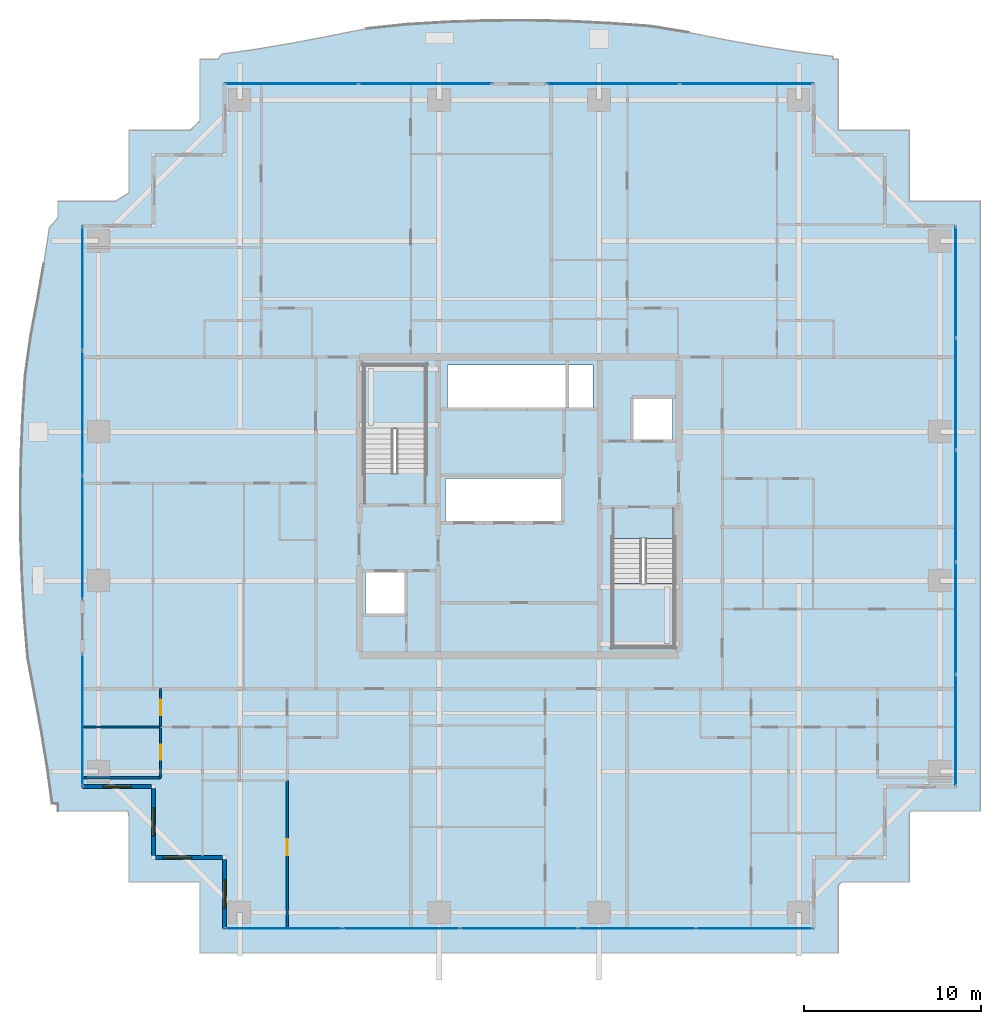
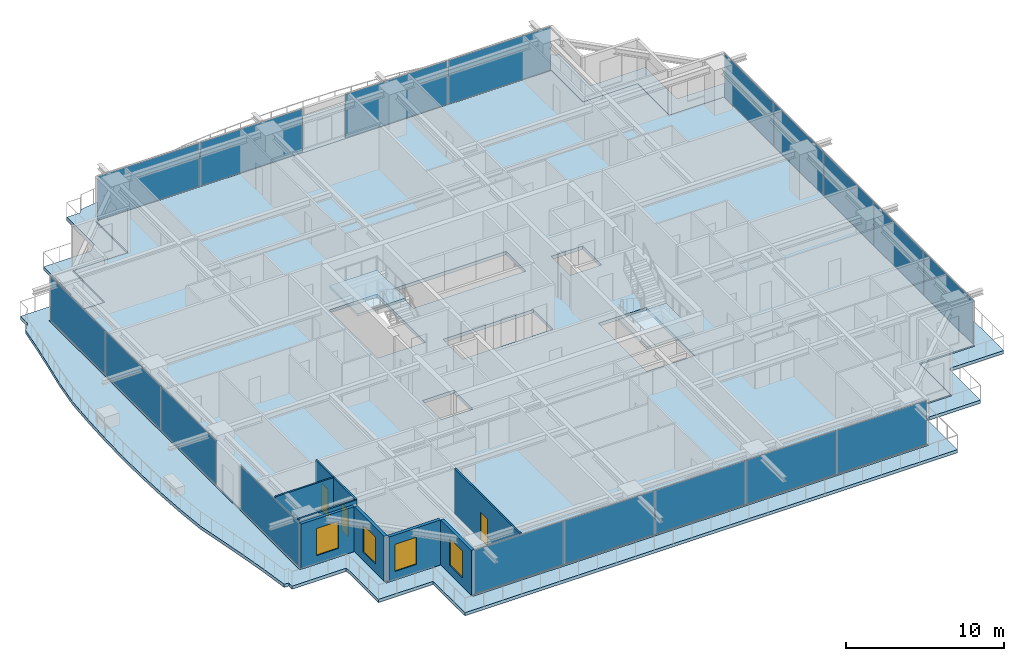
# One storey, part 26 of 38: 18 plates, 9 walls, 4 slabs, 4 windows, 3 doors, 7 openings, 8 elements without a shape of their own.
"""IFC4 building model written with IfcOpenShell, lengths in metres."""

import ifcopenshell
import ifcopenshell.guid

model = None  # the IFC model being written
_history = None  # IfcOwnerHistory: only IFC2X3 demands one
_inside = {}  # id of a spatial element -> (the spatial element, [elements in it])
_under = {}  # id of a project, library or spatial element -> (it, [spatial elements below it])
_declared = {}  # id of a project -> (the project, [libraries it declares])
_typed = {}  # id of a type object -> (the type object, [elements of that type])
_made_of = {}  # id of a material, layer set ... -> (it, [elements and type objects made of it])


def new_model(schema):
    """Start an empty IFC model of exactly this schema.

    Asked for "IFC4X3", IfcOpenShell would pick the latest addendum, in which some entities
    have other attributes; the version numbers below select the first issue.
    IFC2X3 requires an IfcOwnerHistory on every rooted entity: one is made here for all.
    """
    global model, _history
    if schema == "IFC4X3":
        model = ifcopenshell.file(schema_version=(4, 3, 0, 0))
    else:
        model = ifcopenshell.file(schema=schema)
    _inside.clear()
    _under.clear()
    _declared.clear()
    _typed.clear()
    _made_of.clear()
    _history = None
    if model.schema == "IFC2X3":
        org = make("IfcOrganization", Name="unknown")
        user = make(
            "IfcPersonAndOrganization",
            ThePerson=make("IfcPerson", FamilyName="unknown"),
            TheOrganization=org,
        )
        app = make(
            "IfcApplication",
            ApplicationDeveloper=org,
            Version="unknown",
            ApplicationFullName="unknown",
            ApplicationIdentifier="unknown",
        )
        _history = make(
            "IfcOwnerHistory",
            OwningUser=user,
            OwningApplication=app,
            ChangeAction="ADDED",
            CreationDate=0,
        )
    return model


def make(cls, **values):
    """One entity of the class cls with the attributes given. An attribute that is None is left unset."""
    return model.create_entity(
        cls, **{name: value for name, value in values.items() if value is not None}
    )


def rooted(cls, **values):
    """An entity with a GlobalId (a new one), such as an element, a storey or a relation."""
    return make(cls, GlobalId=ifcopenshell.guid.new(), OwnerHistory=_history, **values)


def si_unit(unit_type, name, prefix=None):
    """IfcSIUnit, for example si_unit("LENGTHUNIT", "METRE", prefix="MILLI")."""
    return make("IfcSIUnit", UnitType=unit_type, Prefix=prefix, Name=name)


def assignment(units):
    """IfcUnitAssignment: the units of a project."""
    return None if units is None else make("IfcUnitAssignment", Units=units)


def point(xyz):
    """IfcCartesianPoint."""
    return None if xyz is None else make("IfcCartesianPoint", Coordinates=xyz)


def direction(xyz):
    """IfcDirection."""
    return None if xyz is None else make("IfcDirection", DirectionRatios=xyz)


def frame(location, z_axis=None, x_axis=None):
    """IfcAxis2Placement3D, a coordinate frame: its origin and axes. An axis left out is left unset."""
    return make(
        "IfcAxis2Placement3D",
        Location=point(location),
        Axis=direction(z_axis),
        RefDirection=direction(x_axis),
    )


def frame_2d(location, x_axis=None):
    """IfcAxis2Placement2D, a coordinate frame in the plane: its origin and x axis."""
    return make(
        "IfcAxis2Placement2D", Location=point(location), RefDirection=direction(x_axis)
    )


def origin():
    """The frame at (0, 0, 0) with its axes left unset."""
    return frame((0.0, 0.0, 0.0))


def origin_2d():
    """The frame at (0, 0) in the plane with its x axis left unset."""
    return frame_2d((0.0, 0.0))


def place(relative_to, where):
    """IfcLocalPlacement: puts the frame where relative to a parent placement (None: the world)."""
    return make(
        "IfcLocalPlacement", PlacementRelTo=relative_to, RelativePlacement=where
    )


def context(
    kind, dimensions, precision=None, world=None, true_north=None, identifier=None
):
    """IfcGeometricRepresentationContext, for example the 3D "Model" context."""
    return make(
        "IfcGeometricRepresentationContext",
        ContextIdentifier=identifier,
        ContextType=kind,
        CoordinateSpaceDimension=dimensions,
        Precision=precision,
        WorldCoordinateSystem=world,
        TrueNorth=true_north,
    )


def subcontext(parent, identifier, kind, view, scale=None):
    """IfcGeometricRepresentationSubContext, for example "Body" below "Model"."""
    return make(
        "IfcGeometricRepresentationSubContext",
        ContextIdentifier=identifier,
        ContextType=kind,
        ParentContext=parent,
        TargetScale=scale,
        TargetView=view,
    )


def project(units=None, contexts=None):
    """IfcProject with its units and contexts."""
    return rooted(
        "IfcProject",
        Name="project",
        RepresentationContexts=contexts,
        UnitsInContext=assignment(units),
    )


def spatial(cls, under=None, at=None, **own):
    """A site, building, storey or space (cls), placed at a placement, below another one or the project."""
    s = rooted(cls, ObjectPlacement=at, **own)
    if under is not None:
        _under.setdefault(under.id(), (under, []))[1].append(s)
    return s


def polyline(points):
    """IfcPolyline through the points."""
    return make("IfcPolyline", Points=[point(p) for p in points])


def profile(cls, at=None, kind="AREA", **sizes):
    """A parametric profile (cls). Its sizes go by their IFC names, for example OverallWidth=200.0."""
    return make(cls, ProfileType=kind, Position=at, **sizes)


def rectangle(**sizes):
    """IfcRectangleProfileDef."""
    return profile("IfcRectangleProfileDef", **sizes)


def outline(outer, holes=None, kind="AREA"):
    """IfcArbitraryClosedProfileDef: a profile drawn as a closed curve; with holes, ...WithVoids."""
    if holes is None:
        return make("IfcArbitraryClosedProfileDef", ProfileType=kind, OuterCurve=outer)
    return make(
        "IfcArbitraryProfileDefWithVoids",
        ProfileType=kind,
        OuterCurve=outer,
        InnerCurves=holes,
    )


def extrude(swept, where, along, depth):
    """IfcExtrudedAreaSolid: the profile swept, set in the frame where, extruded along a direction by depth."""
    return make(
        "IfcExtrudedAreaSolid",
        SweptArea=swept,
        Position=where,
        ExtrudedDirection=direction(along),
        Depth=depth,
    )


def shape(context_of_items, identifier, shape_type, items):
    """IfcShapeRepresentation: the items that make up one representation, for example the "Body"."""
    return make(
        "IfcShapeRepresentation",
        ContextOfItems=context_of_items,
        RepresentationIdentifier=identifier,
        RepresentationType=shape_type,
        Items=items,
    )


def source(mapping_origin, context_of_items, identifier, shape_type, items):
    """IfcRepresentationMap: a shape defined once, which mapped items show again and again."""
    return make(
        "IfcRepresentationMap",
        MappingOrigin=mapping_origin,
        MappedRepresentation=shape(context_of_items, identifier, shape_type, items),
    )


def transform(
    local_origin,
    x_axis=None,
    y_axis=None,
    z_axis=None,
    scale=None,
    scale2=None,
    scale3=None,
    uniform=True,
):
    """IfcCartesianTransformationOperator3D, or its non-uniform kind. x_axis, y_axis, z_axis: its Axis1, 2, 3."""
    if uniform:
        return make(
            "IfcCartesianTransformationOperator3D",
            Axis1=direction(x_axis),
            Axis2=direction(y_axis),
            LocalOrigin=point(local_origin),
            Scale=scale,
            Axis3=direction(z_axis),
        )
    return make(
        "IfcCartesianTransformationOperator3DnonUniform",
        Axis1=direction(x_axis),
        Axis2=direction(y_axis),
        LocalOrigin=point(local_origin),
        Scale=scale,
        Axis3=direction(z_axis),
        Scale2=scale2,
        Scale3=scale3,
    )


def mapped(mapping_source, mapping_target):
    """IfcMappedItem: shows the shape of a source again, moved by a transform."""
    return make(
        "IfcMappedItem", MappingSource=mapping_source, MappingTarget=mapping_target
    )


def material(Name=None, Category=None):
    """IfcMaterial."""
    return make("IfcMaterial", Name=Name, Category=Category)


def layer(
    of_material, thickness, ventilated=None, Name=None, Category=None, Priority=None
):
    """IfcMaterialLayer: one layer of a wall or slab, of a material (None: an air gap)."""
    return make(
        "IfcMaterialLayer",
        Material=of_material,
        LayerThickness=thickness,
        IsVentilated=ventilated,
        Name=Name,
        Category=Category,
        Priority=Priority,
    )


def layer_set(layers, Name=None):
    """IfcMaterialLayerSet."""
    return make("IfcMaterialLayerSet", MaterialLayers=layers, LayerSetName=Name)


def made_of(thing, what):
    """Note that an element or type object is made of a material, layer set ...; save() writes the relation."""
    if what is not None:
        _made_of.setdefault(what.id(), (what, []))[1].append(thing)
    return thing


def type_object(cls, material=None, **own):
    """A type object (cls), such as IfcWallType, which elements share."""
    return made_of(rooted(cls, **own), material)


def element(
    cls,
    number,
    at=None,
    inside=None,
    cuts=None,
    type_object=None,
    material=None,
    context=None,
    identifier="Body",
    shape_type=None,
    held_by="IfcProductDefinitionShape",
    body=None,
    shapes=None,
    **own,
):
    """One element of the class cls, such as IfcWall. Its Tag is "e" and its number.

    at: its placement. inside: the storey or other place that contains it. cuts: it is an
    opening in that element (IfcRelVoidsElement). A single representation is given by context,
    identifier, shape_type and body (its items); several are given by shapes. held_by: the class
    of the entity that holds the representations. save() writes the other relations.
    """
    e = rooted(cls, Tag="e%d" % number, ObjectPlacement=at, **own)
    if body is not None:
        shapes = [shape(context, identifier, shape_type, body)]
    if shapes is not None:
        e.Representation = make(held_by, Representations=shapes)
    if inside is not None:
        _inside.setdefault(inside.id(), (inside, []))[1].append(e)
    if cuts is not None:
        rooted(
            "IfcRelVoidsElement", RelatingBuildingElement=cuts, RelatedOpeningElement=e
        )
    if type_object is not None:
        _typed.setdefault(type_object.id(), (type_object, []))[1].append(e)
    return made_of(e, material)


def fill(opening, filler):
    """IfcRelFillsElement: the door or window that sits in an opening."""
    return rooted(
        "IfcRelFillsElement",
        RelatingOpeningElement=opening,
        RelatedBuildingElement=filler,
    )


def aggregate(whole, parts):
    """IfcRelAggregates: a whole, such as a stair, and the parts it consists of."""
    return rooted("IfcRelAggregates", RelatingObject=whole, RelatedObjects=parts)


def save(model, path):
    """Write the relations noted so far, then the file.

    IfcRelAggregates (storeys below a building ...), IfcRelContainedInSpatialStructure (elements
    in a storey), IfcRelDefinesByType, IfcRelAssociatesMaterial and IfcRelDeclares: one each for
    every whole, place, type object, material and project.
    """
    for whole, parts in _under.values():
        aggregate(whole, parts)
    for where, things in _inside.values():
        rooted(
            "IfcRelContainedInSpatialStructure",
            RelatedElements=things,
            RelatingStructure=where,
        )
    for kind, things in _typed.values():
        rooted("IfcRelDefinesByType", RelatedObjects=things, RelatingType=kind)
    for what, things in _made_of.values():
        rooted("IfcRelAssociatesMaterial", RelatedObjects=things, RelatingMaterial=what)
    for by, libraries in _declared.values():
        rooted("IfcRelDeclares", RelatingContext=by, RelatedDefinitions=libraries)
    model.write(path)


model = new_model("IFC4")

# Units and contexts
model_context = context("Model", 3, precision=1e-05, world=origin(), true_north=direction((0.0, 1.0)))
body_context = subcontext(model_context, "Body", "Model", "MODEL_VIEW")
ifc_project = project(units=[si_unit("LENGTHUNIT", "METRE"), si_unit("AREAUNIT", "SQUARE_METRE"), si_unit("VOLUMEUNIT", "CUBIC_METRE"), si_unit("PLANEANGLEUNIT", "RADIAN"), si_unit("MASSUNIT", "GRAM", prefix="KILO")], contexts=[model_context])

# Site, building, storey
site_placement = place(None, origin())
site = spatial("IfcSite", under=ifc_project, at=site_placement, CompositionType="ELEMENT")
building_placement = place(site_placement, origin())
building = spatial("IfcBuilding", under=site, at=building_placement, Name="Serunith Strait Residences", CompositionType="ELEMENT")
storey_placement = place(building_placement, frame((0.0, 0.0, 183.89990234375)))
storey = spatial("IfcBuildingStorey", under=building, at=storey_placement, Name="L46", CompositionType="ELEMENT", Elevation=183.89990234375)

# Slab
ifc_material_1 = material(Name="Concrete C50/60", Category="concrete")
ifc_layer_1 = layer(ifc_material_1, 0.239990234375, Name="Concrete C50/60")
ifc_layer_set_1 = layer_set([ifc_layer_1], Name="Concrete C50/60")
slab_type_1 = type_object("IfcSlabType", Name="SLB-BALC-240", PredefinedType="FLOOR", material=ifc_layer_set_1)
slab_1_placement = place(storey_placement, frame((0.0, 0.0, -0.289794921875)))
element("IfcSlab", 1, at=slab_1_placement, inside=storey, type_object=slab_type_1, Name="L46 Planted Vertical-Forest Balcony Slab", PredefinedType="FLOOR", context=body_context, shape_type="SweptSolid", body=[
    extrude(outline(polyline([(6.419921875, 8.02001953125), (6.419921875, 8.428955078125), (6.095458984375, 8.44775390625), (5.81884765625, 10.45068359375), (5.48828125, 12.473388671875), (5.11328125, 14.532958984375), (4.716796875, 16.6474609375), (4.5234375, 18.873046875), (4.396728515625, 21.139892578125), (4.319580078125, 23.4306640625), (4.29931640625, 25.733154296875), (4.337890625, 28.03271484375), (4.431884765625, 30.316162109375), (4.572021484375, 32.57177734375), (4.874755859375, 34.748046875), (5.265625, 36.8369140625), (5.6240234375, 38.878173828125), (5.9326171875, 40.890380859375), (6.419921875, 41.4619140625), (6.419921875, 42.3798828125), (9.64501953125, 42.3798828125), (10.419921875, 42.843505859375), (10.419921875, 46.3798828125), (13.869140625, 46.3798828125), (14.419921875, 46.910888671875), (14.419921875, 50.3798828125), (15.426513671875, 50.3798828125), (15.6337890625, 50.67041015625), (17.630859375, 50.951416015625), (19.646240234375, 51.292236328125), (21.698486328125, 51.684814453125), (23.808349609375, 52.10546875), (26.032958984375, 52.341064453125), (28.3125, 52.47607421875), (30.618408203125, 52.554443359375), (32.9365234375, 52.56787109375), (35.25, 52.514892578125), (37.543212890625, 52.401611328125), (39.803466796875, 52.23876953125), (41.96728515625, 51.883544921875), (44.0458984375, 51.472412109375), (46.07763671875, 51.10400390625), (48.082275390625, 50.79345703125), (50.075927734375, 50.54248046875), (50.074462890625, 50.3798828125), (50.3798828125, 50.3798828125), (50.3798828125, 46.3798828125), (54.3798828125, 46.3798828125), (54.3798828125, 42.3798828125), (58.3798828125, 42.3798828125), (58.3798828125, 8.02001953125), (54.51513671875, 8.02001953125), (54.3798828125, 7.921875), (54.3798828125, 4.02001953125), (50.601806640625, 4.02001953125), (50.3798828125, 3.8408203125), (50.3798828125, 0.02001953125), (14.419921875, 0.02001953125), (14.419921875, 4.02001953125), (10.419921875, 4.02001953125), (10.419921875, 7.667724609375), (10.3681640625, 8.02001953125), (6.419921875, 8.02001953125)]), holes=[polyline([(49.054931640625, 1.344970703125), (49.054931640625, 5.344970703125), (53.054931640625, 5.344970703125), (53.054931640625, 9.344970703125), (57.054931640625, 9.344970703125), (57.054931640625, 41.054931640625), (53.054931640625, 41.054931640625), (53.054931640625, 45.054931640625), (49.054931640625, 45.054931640625), (49.054931640625, 49.054931640625), (15.7451171875, 49.054931640625), (15.7451171875, 45.054931640625), (11.7451171875, 45.054931640625), (11.7451171875, 41.054931640625), (7.7451171875, 41.054931640625), (7.7451171875, 9.344970703125), (11.7451171875, 9.344970703125), (11.7451171875, 5.344970703125), (15.7451171875, 5.344970703125), (15.7451171875, 1.344970703125), (49.054931640625, 1.344970703125)])]), origin(), (0.0, 0.0, 1.0), 0.239990234375),
])

# Stair, slab
stair_type_1 = type_object("IfcStairType", Name="STR-CORE-1", PredefinedType="HALF_TURN_STAIR", material=ifc_material_1)
stair_1_placement = place(storey_placement, origin())
stair_1 = element("IfcStair", 2, at=stair_1_placement, inside=storey, type_object=stair_type_1, Name="L46 Protected Escape Stair ST-1", PredefinedType="HALF_TURN_STAIR")
ifc_layer_2 = layer(ifc_material_1, 0.199951171875, Name="Concrete C50/60")
ifc_layer_set_2 = layer_set([ifc_layer_2], Name="Concrete C50/60")
slab_type_2 = type_object("IfcSlabType", Name="SLB-LAND-200", PredefinedType="LANDING", material=ifc_layer_set_2)
slab_2_placement = place(storey_placement, frame((0.0, 0.0, 1.675048828125)))
slab_2 = element("IfcSlab", 3, at=slab_2_placement, type_object=slab_type_2, Name="ST-1 landing 1", PredefinedType="LANDING", context=body_context, shape_type="SweptSolid", body=[
    extrude(outline(polyline([(27.14990234375, 29.550048828125), (27.14990234375, 33.14990234375), (23.64990234375, 33.14990234375), (23.64990234375, 29.550048828125), (27.14990234375, 29.550048828125)])), origin(), (0.0, 0.0, 1.0), 0.199951171875),
])
aggregate(stair_1, [slab_2])

stair_type_2 = type_object("IfcStairType", Name="STR-CORE-2", PredefinedType="HALF_TURN_STAIR", material=ifc_material_1)
stair_2_placement = place(storey_placement, origin())
stair_2 = element("IfcStair", 4, at=stair_2_placement, inside=storey, type_object=stair_type_2, Name="L46 Protected Escape Stair ST-2", PredefinedType="HALF_TURN_STAIR")
slab_3_placement = place(storey_placement, frame((0.0, 0.0, 1.675048828125)))
slab_3 = element("IfcSlab", 5, at=slab_3_placement, type_object=slab_type_2, Name="ST-2 landing 1", PredefinedType="LANDING", context=body_context, shape_type="SweptSolid", body=[
    extrude(outline(polyline([(37.64990234375, 20.85009765625), (37.64990234375, 17.25), (41.14990234375, 17.25), (41.14990234375, 20.85009765625), (37.64990234375, 20.85009765625)])), origin(), (0.0, 0.0, 1.0), 0.199951171875),
])
aggregate(stair_2, [slab_3])

# Slab
ifc_material_2 = material(Name="Concrete C60/75", Category="concrete")
ifc_layer_3 = layer(ifc_material_2, 0.260009765625, Name="Concrete C60/75")
ifc_layer_set_3 = layer_set([ifc_layer_3], Name="Concrete C60/75")
slab_type_3 = type_object("IfcSlabType", Name="SLB-TWR-260-Z2", PredefinedType="FLOOR", material=ifc_layer_set_3)
slab_4_placement = place(storey_placement, frame((0.0, 0.0, -0.260009765625)))
element("IfcSlab", 6, at=slab_4_placement, inside=storey, type_object=slab_type_3, Name="L46 Structural Floor Plate", PredefinedType="FLOOR", context=body_context, shape_type="SweptSolid", body=[
    extrude(outline(polyline([(15.800048828125, 5.39990234375), (11.800048828125, 5.39990234375), (11.800048828125, 9.39990234375), (7.800048828125, 9.39990234375), (7.800048828125, 41.0), (11.800048828125, 41.0), (11.800048828125, 45.0), (15.800048828125, 45.0), (15.800048828125, 49.0), (49.0, 49.0), (49.0, 45.0), (53.0, 45.0), (53.0, 41.0), (57.0, 41.0), (57.0, 9.39990234375), (53.0, 9.39990234375), (53.0, 5.39990234375), (49.0, 5.39990234375), (49.0, 1.39990234375), (15.800048828125, 1.39990234375), (15.800048828125, 5.39990234375)]), holes=[polyline([(41.14990234375, 23.3701171875), (37.64990234375, 23.3701171875), (37.64990234375, 17.25), (41.14990234375, 17.25), (41.14990234375, 23.3701171875)]), polyline([(38.75, 31.25), (38.75, 28.85009765625), (41.050048828125, 28.85009765625), (41.050048828125, 31.25), (38.75, 31.25)]), polyline([(36.550048828125, 33.14990234375), (28.35009765625, 33.14990234375), (28.35009765625, 30.64990234375), (36.550048828125, 30.64990234375), (36.550048828125, 33.14990234375)]), polyline([(34.85009765625, 26.75), (28.25, 26.75), (28.25, 24.25), (34.85009765625, 24.25), (34.85009765625, 26.75)]), polyline([(23.64990234375, 33.14990234375), (23.64990234375, 27.030029296875), (27.14990234375, 27.030029296875), (27.14990234375, 33.14990234375), (23.64990234375, 33.14990234375)]), polyline([(26.050048828125, 21.550048828125), (23.75, 21.550048828125), (23.75, 19.14990234375), (26.050048828125, 19.14990234375), (26.050048828125, 21.550048828125)])]), origin(), (0.0, 0.0, 1.0), 0.260009765625),
])

# Curtain wall, plates
ifc_material_3 = material(Name="Pale-Champagne Anodised Aluminium", Category="aluminium")
ifc_layer_4 = layer(ifc_material_3, 0.199951171875, Name="Pale-Champagne Anodised Aluminium")
ifc_layer_set_4 = layer_set([ifc_layer_4], Name="Pale-Champagne Anodised Aluminium")
curtain_wall_type = type_object("IfcCurtainWallType", Name="CW-SYS2", PredefinedType="NOTDEFINED", material=ifc_layer_set_4)
curtain_wall_1_placement = place(storey_placement, origin())
curtain_wall_1 = element("IfcCurtainWall", 7, at=curtain_wall_1_placement, inside=storey, type_object=curtain_wall_type, Name="L46 S Unitised Fritted Curtain Wall", PredefinedType="NOTDEFINED")
ifc_material_4 = material(Name="Diagonal-Frit Operable Low-E Glazing 30mm", Category="glass")
ifc_layer_5 = layer(ifc_material_4, 0.030029296875, Name="Diagonal-Frit Operable Low-E Glazing 30mm")
ifc_layer_set_5 = layer_set([ifc_layer_5], Name="Diagonal-Frit Operable Low-E Glazing 30mm")
plate_type = type_object("IfcPlateType", Name="CW-SYS2-PNL", PredefinedType="CURTAIN_PANEL", material=ifc_layer_set_5)
shared_shape_1 = source(origin(), body_context, "Body", "SweptSolid", [
    extrude(rectangle(XDim=6.534912109375, YDim=0.030029296875, at=origin_2d()), origin(), (0.0, 0.0, 1.0), 3.35498046875),
])
plate_1_placement = place(storey_placement, frame((19.137451171875, 1.39990234375, 0.06005859375), z_axis=(0.0, 0.0, 1.0), x_axis=(1.0, 0.0, 0.0)))
plate_1 = element("IfcPlate", 8, at=plate_1_placement, type_object=plate_type, Name="CW-2 panel 1.1", PredefinedType="CURTAIN_PANEL", context=body_context, shape_type="MappedRepresentation", body=[
    mapped(shared_shape_1, transform((0.0, 0.0, 0.0), scale=1.0)),
])
plate_2_placement = place(storey_placement, frame((45.66259765625, 1.39990234375, 0.06005859375), z_axis=(0.0, 0.0, 1.0), x_axis=(1.0, 0.0, 0.0)))
plate_2 = element("IfcPlate", 9, at=plate_2_placement, type_object=plate_type, Name="CW-2 panel 5.1", PredefinedType="CURTAIN_PANEL", context=body_context, shape_type="MappedRepresentation", body=[
    mapped(shared_shape_1, transform((0.0, 0.0, 0.0), scale=1.0)),
])
shared_shape_2 = source(origin(), body_context, "Body", "SweptSolid", [
    extrude(rectangle(XDim=6.570068359375, YDim=0.030029296875, at=origin_2d()), origin(), (0.0, 0.0, 1.0), 3.35498046875),
])
plate_3_placement = place(storey_placement, frame((25.760009765625, 1.39990234375, 0.06005859375), z_axis=(0.0, 0.0, 1.0), x_axis=(1.0, 0.0, 0.0)))
plate_3 = element("IfcPlate", 10, at=plate_3_placement, type_object=plate_type, Name="CW-2 panel 2.1", PredefinedType="CURTAIN_PANEL", context=body_context, shape_type="MappedRepresentation", body=[
    mapped(shared_shape_2, transform((0.0, 0.0, 0.0), scale=1.0)),
])
plate_4_placement = place(storey_placement, frame((32.39990234375, 1.39990234375, 0.06005859375), z_axis=(0.0, 0.0, 1.0), x_axis=(1.0, 0.0, 0.0)))
plate_4 = element("IfcPlate", 11, at=plate_4_placement, type_object=plate_type, Name="CW-2 panel 3.1", PredefinedType="CURTAIN_PANEL", context=body_context, shape_type="MappedRepresentation", body=[
    mapped(shared_shape_2, transform((0.0, 0.0, 0.0), scale=1.0)),
])
plate_5_placement = place(storey_placement, frame((39.0400390625, 1.39990234375, 0.06005859375), z_axis=(0.0, 0.0, 1.0), x_axis=(1.0, 0.0, 0.0)))
plate_5 = element("IfcPlate", 12, at=plate_5_placement, type_object=plate_type, Name="CW-2 panel 4.1", PredefinedType="CURTAIN_PANEL", context=body_context, shape_type="MappedRepresentation", body=[
    mapped(shared_shape_2, transform((0.0, 0.0, 0.0), scale=1.0)),
])
aggregate(curtain_wall_1, [plate_1, plate_3, plate_4, plate_5, plate_2])

curtain_wall_2_placement = place(storey_placement, origin())
curtain_wall_2 = element("IfcCurtainWall", 13, at=curtain_wall_2_placement, inside=storey, type_object=curtain_wall_type, Name="L46 E Unitised Fritted Curtain Wall", PredefinedType="NOTDEFINED")
shared_shape_3 = source(origin(), body_context, "Body", "SweptSolid", [
    extrude(rectangle(XDim=6.215087890625, YDim=0.030029296875, at=origin_2d()), origin(), (0.0, 0.0, 1.0), 3.35498046875),
])
plate_6_placement = place(storey_placement, frame((57.0, 12.577392578125, 0.06005859375), z_axis=(0.0, 0.0, 1.0), x_axis=(0.0, 1.0, 0.0)))
plate_6 = element("IfcPlate", 14, at=plate_6_placement, type_object=plate_type, Name="CW-2 panel 1.1", PredefinedType="CURTAIN_PANEL", context=body_context, shape_type="MappedRepresentation", body=[
    mapped(shared_shape_3, transform((0.0, 0.0, 0.0), scale=1.0)),
])
plate_7_placement = place(storey_placement, frame((57.0, 37.822509765625, 0.06005859375), z_axis=(0.0, 0.0, 1.0), x_axis=(0.0, 1.0, 0.0)))
plate_7 = element("IfcPlate", 15, at=plate_7_placement, type_object=plate_type, Name="CW-2 panel 5.1", PredefinedType="CURTAIN_PANEL", context=body_context, shape_type="MappedRepresentation", body=[
    mapped(shared_shape_3, transform((0.0, 0.0, 0.0), scale=1.0)),
])
shared_shape_4 = source(origin(), body_context, "Body", "SweptSolid", [
    extrude(rectangle(XDim=6.25, YDim=0.030029296875, at=origin_2d()), origin(), (0.0, 0.0, 1.0), 3.35498046875),
])
plate_8_placement = place(storey_placement, frame((57.0, 18.8798828125, 0.06005859375), z_axis=(0.0, 0.0, 1.0), x_axis=(0.0, 1.0, 0.0)))
plate_8 = element("IfcPlate", 16, at=plate_8_placement, type_object=plate_type, Name="CW-2 panel 2.1", PredefinedType="CURTAIN_PANEL", context=body_context, shape_type="MappedRepresentation", body=[
    mapped(shared_shape_4, transform((0.0, 0.0, 0.0), scale=1.0)),
])
plate_9_placement = place(storey_placement, frame((57.0, 25.199951171875, 0.06005859375), z_axis=(0.0, 0.0, 1.0), x_axis=(0.0, 1.0, 0.0)))
plate_9 = element("IfcPlate", 17, at=plate_9_placement, type_object=plate_type, Name="CW-2 panel 3.1", PredefinedType="CURTAIN_PANEL", context=body_context, shape_type="MappedRepresentation", body=[
    mapped(shared_shape_4, transform((0.0, 0.0, 0.0), scale=1.0)),
])
plate_10_placement = place(storey_placement, frame((57.0, 31.52001953125, 0.06005859375), z_axis=(0.0, 0.0, 1.0), x_axis=(0.0, 1.0, 0.0)))
plate_10 = element("IfcPlate", 18, at=plate_10_placement, type_object=plate_type, Name="CW-2 panel 4.1", PredefinedType="CURTAIN_PANEL", context=body_context, shape_type="MappedRepresentation", body=[
    mapped(shared_shape_4, transform((0.0, 0.0, 0.0), scale=1.0)),
])
aggregate(curtain_wall_2, [plate_6, plate_8, plate_9, plate_10, plate_7])

# Curtain wall, plate
curtain_wall_3_placement = place(storey_placement, origin())
curtain_wall_3 = element("IfcCurtainWall", 19, at=curtain_wall_3_placement, inside=storey, type_object=curtain_wall_type, Name="L46 W Unitised Fritted Curtain Wall", PredefinedType="NOTDEFINED")
shared_shape_5 = source(origin(), body_context, "Body", "SweptSolid", [
    extrude(rectangle(XDim=7.360107421875, YDim=0.030029296875, at=origin_2d()), origin(), (0.0, 0.0, 1.0), 3.35498046875),
])
plate_11_placement = place(storey_placement, frame((7.800048828125, 13.14990234375, 0.06005859375), z_axis=(0.0, 0.0, 1.0), x_axis=(0.0, -1.0, 0.0)))
plate_11 = element("IfcPlate", 20, at=plate_11_placement, type_object=plate_type, Name="CW-2 panel 1.1", PredefinedType="CURTAIN_PANEL", context=body_context, shape_type="MappedRepresentation", body=[
    mapped(shared_shape_5, transform((0.0, 0.0, 0.0), scale=1.0)),
])
aggregate(curtain_wall_3, [plate_11])

# Curtain wall, plates
curtain_wall_4_placement = place(storey_placement, origin())
curtain_wall_4 = element("IfcCurtainWall", 21, at=curtain_wall_4_placement, inside=storey, type_object=curtain_wall_type, Name="L46 W Unitised Fritted Curtain Wall", PredefinedType="NOTDEFINED")
shared_shape_6 = source(origin(), body_context, "Body", "SweptSolid", [
    extrude(rectangle(XDim=6.92822265625, YDim=0.030029296875, at=origin_2d()), origin(), (0.0, 0.0, 1.0), 3.35498046875),
])
plate_12_placement = place(storey_placement, frame((7.800048828125, 37.4658203125, 0.06005859375), z_axis=(0.0, 0.0, 1.0), x_axis=(0.0, -1.0, 0.0)))
plate_12 = element("IfcPlate", 22, at=plate_12_placement, type_object=plate_type, Name="CW-2 panel 1.1", PredefinedType="CURTAIN_PANEL", context=body_context, shape_type="MappedRepresentation", body=[
    mapped(shared_shape_6, transform((0.0, 0.0, 0.0), scale=1.0)),
])
plate_13_placement = place(storey_placement, frame((7.800048828125, 23.43408203125, 0.06005859375), z_axis=(0.0, 0.0, 1.0), x_axis=(0.0, -1.0, 0.0)))
plate_13 = element("IfcPlate", 23, at=plate_13_placement, type_object=plate_type, Name="CW-2 panel 3.1", PredefinedType="CURTAIN_PANEL", context=body_context, shape_type="MappedRepresentation", body=[
    mapped(shared_shape_6, transform((0.0, 0.0, 0.0), scale=1.0)),
])
shared_shape_7 = source(origin(), body_context, "Body", "SweptSolid", [
    extrude(rectangle(XDim=6.96337890625, YDim=0.030029296875, at=origin_2d()), origin(), (0.0, 0.0, 1.0), 3.35498046875),
])
plate_14_placement = place(storey_placement, frame((7.800048828125, 30.449951171875, 0.06005859375), z_axis=(0.0, 0.0, 1.0), x_axis=(0.0, -1.0, 0.0)))
plate_14 = element("IfcPlate", 24, at=plate_14_placement, type_object=plate_type, Name="CW-2 panel 2.1", PredefinedType="CURTAIN_PANEL", context=body_context, shape_type="MappedRepresentation", body=[
    mapped(shared_shape_7, transform((0.0, 0.0, 0.0), scale=1.0)),
])
aggregate(curtain_wall_4, [plate_12, plate_14, plate_13])

curtain_wall_5_placement = place(storey_placement, origin())
curtain_wall_5 = element("IfcCurtainWall", 25, at=curtain_wall_5_placement, inside=storey, type_object=curtain_wall_type, Name="L46 N Unitised Fritted Curtain Wall", PredefinedType="NOTDEFINED")
shared_shape_8 = source(origin(), body_context, "Body", "SweptSolid", [
    extrude(rectangle(XDim=7.445068359375, YDim=0.030029296875, at=origin_2d()), origin(), (0.0, 0.0, 1.0), 3.35498046875),
])
plate_15_placement = place(storey_placement, frame((45.20751953125, 49.0, 0.06005859375), z_axis=(0.0, 0.0, 1.0), x_axis=(-1.0, 0.0, 0.0)))
plate_15 = element("IfcPlate", 26, at=plate_15_placement, type_object=plate_type, Name="CW-2 panel 1.1", PredefinedType="CURTAIN_PANEL", context=body_context, shape_type="MappedRepresentation", body=[
    mapped(shared_shape_8, transform((0.0, 0.0, 0.0), scale=1.0)),
])
plate_16_placement = place(storey_placement, frame((37.6923828125, 49.0, 0.06005859375), z_axis=(0.0, 0.0, 1.0), x_axis=(-1.0, 0.0, 0.0)))
plate_16 = element("IfcPlate", 27, at=plate_16_placement, type_object=plate_type, Name="CW-2 panel 2.1", PredefinedType="CURTAIN_PANEL", context=body_context, shape_type="MappedRepresentation", body=[
    mapped(shared_shape_8, transform((0.0, 0.0, 0.0), scale=1.0)),
])
aggregate(curtain_wall_5, [plate_15, plate_16])

curtain_wall_6_placement = place(storey_placement, origin())
curtain_wall_6 = element("IfcCurtainWall", 28, at=curtain_wall_6_placement, inside=storey, type_object=curtain_wall_type, Name="L46 N Unitised Fritted Curtain Wall", PredefinedType="NOTDEFINED")
plate_17_placement = place(storey_placement, frame((27.107421875, 49.0, 0.06005859375), z_axis=(0.0, 0.0, 1.0), x_axis=(-1.0, 0.0, 0.0)))
plate_17 = element("IfcPlate", 29, at=plate_17_placement, type_object=plate_type, Name="CW-2 panel 1.1", PredefinedType="CURTAIN_PANEL", context=body_context, shape_type="MappedRepresentation", body=[
    mapped(shared_shape_8, transform((0.0, 0.0, 0.0), scale=1.0)),
])
plate_18_placement = place(storey_placement, frame((19.592529296875, 49.0, 0.06005859375), z_axis=(0.0, 0.0, 1.0), x_axis=(-1.0, 0.0, 0.0)))
plate_18 = element("IfcPlate", 30, at=plate_18_placement, type_object=plate_type, Name="CW-2 panel 2.1", PredefinedType="CURTAIN_PANEL", context=body_context, shape_type="MappedRepresentation", body=[
    mapped(shared_shape_8, transform((0.0, 0.0, 0.0), scale=1.0)),
])
aggregate(curtain_wall_6, [plate_17, plate_18])

# Wall, opening, window
ifc_material_5 = material(Name="Pale-Champagne Aluminium Insulated Panel", Category="aluminium")
ifc_layer_6 = layer(ifc_material_5, 0.219970703125, Name="Pale-Champagne Aluminium Insulated Panel")
ifc_layer_set_6 = layer_set([ifc_layer_6], Name="Pale-Champagne Aluminium Insulated Panel")
wall_type_1 = type_object("IfcWallType", Name="EW-ALUM-220", PredefinedType="ELEMENTEDWALL", material=ifc_layer_set_6)
wall_1_placement = place(storey_placement, frame((7.800048828125, 9.39990234375, 0.0), z_axis=(0.0, 0.0, 1.0), x_axis=(1.0, 0.0, 0.0)))
wall_1 = element("IfcWall", 31, at=wall_1_placement, inside=storey, type_object=wall_type_1, Name="L46 Girih Serrated Corner Wall 17", PredefinedType="ELEMENTEDWALL", context=body_context, shape_type="SweptSolid", body=[
    extrude(rectangle(XDim=3.889892578125, YDim=0.219970703125, at=frame_2d((1.94482421875, 0.0))), origin(), (0.0, 0.0, 1.0), 3.47509765625),
])
opening_1_placement = place(wall_1_placement, frame((1.14501953125, 0.0, 0.64990234375)))
opening_1 = element("IfcOpeningElement", 32, at=opening_1_placement, cuts=wall_1, Name="Opening W-02", PredefinedType="OPENING", context=body_context, shape_type="SweptSolid", body=[
    extrude(rectangle(XDim=1.60009765625, YDim=2.10009765625, at=frame_2d((0.800048828125, 1.050048828125))), frame((0.0, 0.1201171875, 0.0), z_axis=(0.0, -1.0, 0.0), x_axis=(1.0, 0.0, 0.0)), (0.0, 0.0, 1.0), 0.239990234375),
])
ifc_material_6 = material(Name="Ceramic-Fritted Operable Aluminium Window Glass", Category="aluminium")
window_type = type_object("IfcWindowType", Name="WIN-C2", PartitioningType="DOUBLE_PANEL_VERTICAL", PredefinedType="WINDOW", material=ifc_material_6)
shared_shape_9 = source(origin(), body_context, "Body", "SweptSolid", [
    extrude(rectangle(XDim=1.60009765625, YDim=2.10009765625, at=frame_2d((0.800048828125, 1.050048828125))), frame((0.0, 0.030029296875, 0.0), z_axis=(0.0, -1.0, 0.0), x_axis=(1.0, 0.0, 0.0)), (0.0, 0.0, 1.0), 0.06005859375),
])
window_1_placement = place(opening_1_placement, origin())
window_1 = element("IfcWindow", 33, at=window_1_placement, inside=storey, type_object=window_type, Name="L46 Corner Operable Fritted Window 17", OverallHeight=2.10009765625, OverallWidth=1.60009765625, PartitioningType="SINGLE_PANEL", PredefinedType="WINDOW", context=body_context, shape_type="MappedRepresentation", body=[
    mapped(shared_shape_9, transform((0.0, 0.0, 0.0), scale=1.0)),
])
fill(opening_1, window_1)

wall_2_placement = place(storey_placement, frame((11.800048828125, 9.2900390625, 0.0), z_axis=(0.0, 0.0, 1.0), x_axis=(0.0, -1.0, 0.0)))
wall_2 = element("IfcWall", 34, at=wall_2_placement, inside=storey, type_object=wall_type_1, Name="L46 Girih Serrated Corner Wall 18", PredefinedType="ELEMENTEDWALL", context=body_context, shape_type="SweptSolid", body=[
    extrude(rectangle(XDim=3.780029296875, YDim=0.219970703125, at=frame_2d((1.89013671875, 0.0))), origin(), (0.0, 0.0, 1.0), 3.47509765625),
])
opening_2_placement = place(wall_2_placement, frame((1.090087890625, 0.0, 0.64990234375)))
opening_2 = element("IfcOpeningElement", 35, at=opening_2_placement, cuts=wall_2, Name="Opening W-02", PredefinedType="OPENING", context=body_context, shape_type="SweptSolid", body=[
    extrude(rectangle(XDim=1.60009765625, YDim=2.10009765625, at=frame_2d((0.800048828125, 1.050048828125))), frame((0.0, 0.1201171875, 0.0), z_axis=(0.0, -1.0, 0.0), x_axis=(1.0, 0.0, 0.0)), (0.0, 0.0, 1.0), 0.239990234375),
])
window_2_placement = place(opening_2_placement, origin())
window_2 = element("IfcWindow", 36, at=window_2_placement, inside=storey, type_object=window_type, Name="L46 Corner Operable Fritted Window 18", OverallHeight=2.10009765625, OverallWidth=1.60009765625, PartitioningType="SINGLE_PANEL", PredefinedType="WINDOW", context=body_context, shape_type="MappedRepresentation", body=[
    mapped(shared_shape_9, transform((0.0, 0.0, 0.0), scale=1.0)),
])
fill(opening_2, window_2)

wall_3_placement = place(storey_placement, frame((11.909912109375, 5.39990234375, 0.0), z_axis=(0.0, 0.0, 1.0), x_axis=(1.0, 0.0, 0.0)))
wall_3 = element("IfcWall", 37, at=wall_3_placement, inside=storey, type_object=wall_type_1, Name="L46 Girih Serrated Corner Wall 19", PredefinedType="ELEMENTEDWALL", context=body_context, shape_type="SweptSolid", body=[
    extrude(rectangle(XDim=3.780029296875, YDim=0.219970703125, at=frame_2d((1.89013671875, 0.0))), origin(), (0.0, 0.0, 1.0), 3.47509765625),
])
opening_3_placement = place(wall_3_placement, frame((0.43603515625, 0.0, 0.64990234375)))
opening_3 = element("IfcOpeningElement", 38, at=opening_3_placement, cuts=wall_3, Name="Opening W-02", PredefinedType="OPENING", context=body_context, shape_type="SweptSolid", body=[
    extrude(rectangle(XDim=1.60009765625, YDim=2.10009765625, at=frame_2d((0.800048828125, 1.050048828125))), frame((0.0, 0.1201171875, 0.0), z_axis=(0.0, -1.0, 0.0), x_axis=(1.0, 0.0, 0.0)), (0.0, 0.0, 1.0), 0.239990234375),
])
window_3_placement = place(opening_3_placement, origin())
window_3 = element("IfcWindow", 39, at=window_3_placement, inside=storey, type_object=window_type, Name="L46 Corner Operable Fritted Window 19", OverallHeight=2.10009765625, OverallWidth=1.60009765625, PartitioningType="SINGLE_PANEL", PredefinedType="WINDOW", context=body_context, shape_type="MappedRepresentation", body=[
    mapped(shared_shape_9, transform((0.0, 0.0, 0.0), scale=1.0)),
])
fill(opening_3, window_3)

wall_4_placement = place(storey_placement, frame((15.800048828125, 5.2900390625, 0.0), z_axis=(0.0, 0.0, 1.0), x_axis=(0.0, -1.0, 0.0)))
wall_4 = element("IfcWall", 40, at=wall_4_placement, inside=storey, type_object=wall_type_1, Name="L46 Girih Serrated Corner Wall 20", PredefinedType="ELEMENTEDWALL", context=body_context, shape_type="SweptSolid", body=[
    extrude(rectangle(XDim=3.89013671875, YDim=0.219970703125, at=frame_2d((1.945068359375, 0.0))), origin(), (0.0, 0.0, 1.0), 3.47509765625),
])
opening_4_placement = place(wall_4_placement, frame((1.14501953125, 0.0, 0.64990234375)))
opening_4 = element("IfcOpeningElement", 41, at=opening_4_placement, cuts=wall_4, Name="Opening W-02", PredefinedType="OPENING", context=body_context, shape_type="SweptSolid", body=[
    extrude(rectangle(XDim=1.60009765625, YDim=2.10009765625, at=frame_2d((0.800048828125, 1.050048828125))), frame((0.0, 0.1201171875, 0.0), z_axis=(0.0, -1.0, 0.0), x_axis=(1.0, 0.0, 0.0)), (0.0, 0.0, 1.0), 0.239990234375),
])
window_4_placement = place(opening_4_placement, origin())
window_4 = element("IfcWindow", 42, at=window_4_placement, inside=storey, type_object=window_type, Name="L46 Corner Operable Fritted Window 20", OverallHeight=2.10009765625, OverallWidth=1.60009765625, PartitioningType="SINGLE_PANEL", PredefinedType="WINDOW", context=body_context, shape_type="MappedRepresentation", body=[
    mapped(shared_shape_9, transform((0.0, 0.0, 0.0), scale=1.0)),
])
fill(opening_4, window_4)

# Wall, opening, door
ifc_material_7 = material(Name="Lightweight steel-stud gypsum partition", Category="steel")
ifc_layer_7 = layer(ifc_material_7, 0.1201171875, Name="Lightweight steel-stud gypsum partition")
ifc_layer_set_7 = layer_set([ifc_layer_7], Name="Lightweight steel-stud gypsum partition")
wall_type_2 = type_object("IfcWallType", Name="IW-PART-120", PredefinedType="PARTITIONING", material=ifc_layer_set_7)
wall_5_placement = place(storey_placement, frame((19.330078125, 1.4951171875, 0.0), z_axis=(0.0, 0.0, 1.0), x_axis=(0.0, 1.0, 0.0)))
wall_5 = element("IfcWall", 43, at=wall_5_placement, inside=storey, type_object=wall_type_2, Name="L46 Partition Wall 031", PredefinedType="PARTITIONING", context=body_context, shape_type="SweptSolid", body=[
    extrude(rectangle(XDim=8.245849609375, YDim=0.1201171875, at=frame_2d((4.123046875, 0.0))), origin(), (0.0, 0.0, 1.0), 3.489990234375),
])
opening_5_placement = place(wall_5_placement, frame((4.0400390625, 0.0, 0.0)))
opening_5 = element("IfcOpeningElement", 44, at=opening_5_placement, cuts=wall_5, Name="Opening D-RM900", PredefinedType="OPENING", context=body_context, shape_type="SweptSolid", body=[
    extrude(rectangle(XDim=0.89990234375, YDim=2.10009765625, at=frame_2d((0.449951171875, 1.050048828125))), frame((0.0, 0.070068359375, 0.0), z_axis=(0.0, -1.0, 0.0), x_axis=(1.0, 0.0, 0.0)), (0.0, 0.0, 1.0), 0.14013671875),
])
ifc_material_8 = material(Name="Engineered timber flush bedroom door", Category="wood")
door_type_1 = type_object("IfcDoorType", Name="ID-ROOM-900", OperationType="NOTDEFINED", PredefinedType="DOOR", material=ifc_material_8)
shared_shape_10 = source(origin(), body_context, "Body", "SweptSolid", [
    extrude(rectangle(XDim=0.89990234375, YDim=2.10009765625, at=frame_2d((0.449951171875, 1.050048828125))), frame((0.0, 0.02490234375, 0.0), z_axis=(0.0, -1.0, 0.0), x_axis=(1.0, 0.0, 0.0)), (0.0, 0.0, 1.0), 0.050048828125),
])
door_1_placement = place(opening_5_placement, origin())
door_1 = element("IfcDoor", 45, at=door_1_placement, inside=storey, type_object=door_type_1, Name="L46 Formal Dining Room 1 4601 Door", OperationType="SINGLE_SWING_LEFT", OverallHeight=2.10009765625, OverallWidth=0.89990234375, PredefinedType="DOOR", context=body_context, shape_type="MappedRepresentation", body=[
    mapped(shared_shape_10, transform((0.0, 0.0, 0.0), scale=1.0)),
])
fill(opening_5, door_1)

# Walls
wall_6_placement = place(storey_placement, frame((7.89501953125, 9.89501953125, 0.0), z_axis=(0.0, 0.0, 1.0), x_axis=(1.0, 0.0, 0.0)))
element("IfcWall", 46, at=wall_6_placement, inside=storey, type_object=wall_type_2, Name="L46 Partition Wall 039", PredefinedType="PARTITIONING", context=body_context, shape_type="SweptSolid", body=[
    extrude(rectangle(XDim=4.304931640625, YDim=0.1201171875, at=frame_2d((2.15234375, 0.0))), origin(), (0.0, 0.0, 1.0), 3.489990234375),
])
wall_7_placement = place(storey_placement, frame((7.89501953125, 12.75, 0.0), z_axis=(0.0, 0.0, 1.0), x_axis=(1.0, 0.0, 0.0)))
element("IfcWall", 47, at=wall_7_placement, inside=storey, type_object=wall_type_2, Name="L46 Partition Wall 040", PredefinedType="PARTITIONING", context=body_context, shape_type="SweptSolid", body=[
    extrude(rectangle(XDim=4.302978515625, YDim=0.1201171875, at=frame_2d((2.1513671875, 0.0))), origin(), (0.0, 0.0, 1.0), 3.489990234375),
])

# Wall, opening, door
wall_8_placement = place(storey_placement, frame((12.199951171875, 9.89501953125, 0.0), z_axis=(0.0, 0.0, 1.0), x_axis=(0.0, 1.0, 0.0)))
wall_8 = element("IfcWall", 48, at=wall_8_placement, inside=storey, type_object=wall_type_2, Name="L46 Partition Wall 041", PredefinedType="PARTITIONING", context=body_context, shape_type="SweptSolid", body=[
    extrude(rectangle(XDim=2.85498046875, YDim=0.1201171875, at=frame_2d((1.427490234375, 0.0))), origin(), (0.0, 0.0, 1.0), 3.489990234375),
])
opening_6_placement = place(wall_8_placement, frame((1.0029296875, 0.0, 0.0)))
opening_6 = element("IfcOpeningElement", 49, at=opening_6_placement, cuts=wall_8, Name="Opening D-BTH850", PredefinedType="OPENING", context=body_context, shape_type="SweptSolid", body=[
    extrude(rectangle(XDim=0.85009765625, YDim=2.10009765625, at=frame_2d((0.425048828125, 1.050048828125))), frame((0.0, 0.070068359375, 0.0), z_axis=(0.0, -1.0, 0.0), x_axis=(1.0, 0.0, 0.0)), (0.0, 0.0, 1.0), 0.14013671875),
])
ifc_material_9 = material(Name="Moisture-resistant timber bathroom door", Category="wood")
door_type_2 = type_object("IfcDoorType", Name="ID-BATH-850", OperationType="NOTDEFINED", PredefinedType="DOOR", material=ifc_material_9)
shared_shape_11 = source(origin(), body_context, "Body", "SweptSolid", [
    extrude(rectangle(XDim=0.85009765625, YDim=2.10009765625, at=frame_2d((0.425048828125, 1.050048828125))), frame((0.0, 0.02490234375, 0.0), z_axis=(0.0, -1.0, 0.0), x_axis=(1.0, 0.0, 0.0)), (0.0, 0.0, 1.0), 0.050048828125),
])
door_2_placement = place(opening_6_placement, origin())
door_2 = element("IfcDoor", 50, at=door_2_placement, inside=storey, type_object=door_type_2, Name="L46 En-suite Bathroom W 4601 Door", OperationType="SINGLE_SWING_LEFT", OverallHeight=2.10009765625, OverallWidth=0.85009765625, PredefinedType="DOOR", context=body_context, shape_type="MappedRepresentation", body=[
    mapped(shared_shape_11, transform((0.0, 0.0, 0.0), scale=1.0)),
])
fill(opening_6, door_2)

wall_9_placement = place(storey_placement, frame((12.199951171875, 12.751953125, 0.0), z_axis=(0.0, 0.0, 1.0), x_axis=(0.0, 1.0, 0.0)))
wall_9 = element("IfcWall", 51, at=wall_9_placement, inside=storey, type_object=wall_type_2, Name="L46 Partition Wall 042", PredefinedType="PARTITIONING", context=body_context, shape_type="SweptSolid", body=[
    extrude(rectangle(XDim=2.2080078125, YDim=0.1201171875, at=frame_2d((1.10400390625, 0.0))), origin(), (0.0, 0.0, 1.0), 3.489990234375),
])
opening_7_placement = place(wall_9_placement, frame((0.678955078125, 0.0, 0.0)))
opening_7 = element("IfcOpeningElement", 52, at=opening_7_placement, cuts=wall_9, Name="Opening D-RM850", PredefinedType="OPENING", context=body_context, shape_type="SweptSolid", body=[
    extrude(rectangle(XDim=0.85009765625, YDim=2.10009765625, at=frame_2d((0.425048828125, 1.050048828125))), frame((0.0, 0.070068359375, 0.0), z_axis=(0.0, -1.0, 0.0), x_axis=(1.0, 0.0, 0.0)), (0.0, 0.0, 1.0), 0.14013671875),
])
ifc_material_10 = material(Name="Engineered timber flush study and kitchen door", Category="wood")
door_type_3 = type_object("IfcDoorType", Name="ID-ROOM-850", OperationType="NOTDEFINED", PredefinedType="DOOR", material=ifc_material_10)
door_3_placement = place(opening_7_placement, origin())
door_3 = element("IfcDoor", 53, at=door_3_placement, inside=storey, type_object=door_type_3, Name="L46 Wardrobe W 4601 Door", OperationType="SINGLE_SWING_RIGHT", OverallHeight=2.10009765625, OverallWidth=0.85009765625, PredefinedType="DOOR", context=body_context, shape_type="MappedRepresentation", body=[
    mapped(shared_shape_11, transform((0.0, 0.0, 0.0), scale=1.0)),
])
fill(opening_7, door_3)

save(model, "model.ifc")
